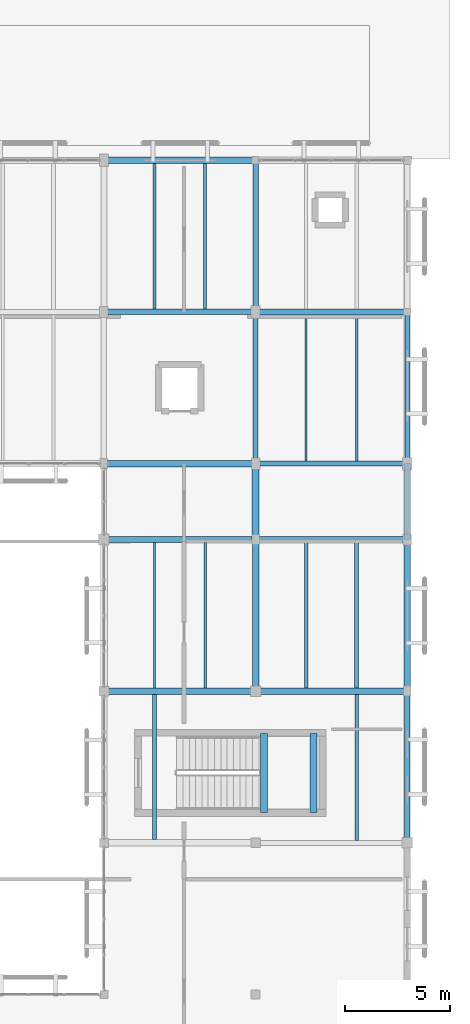
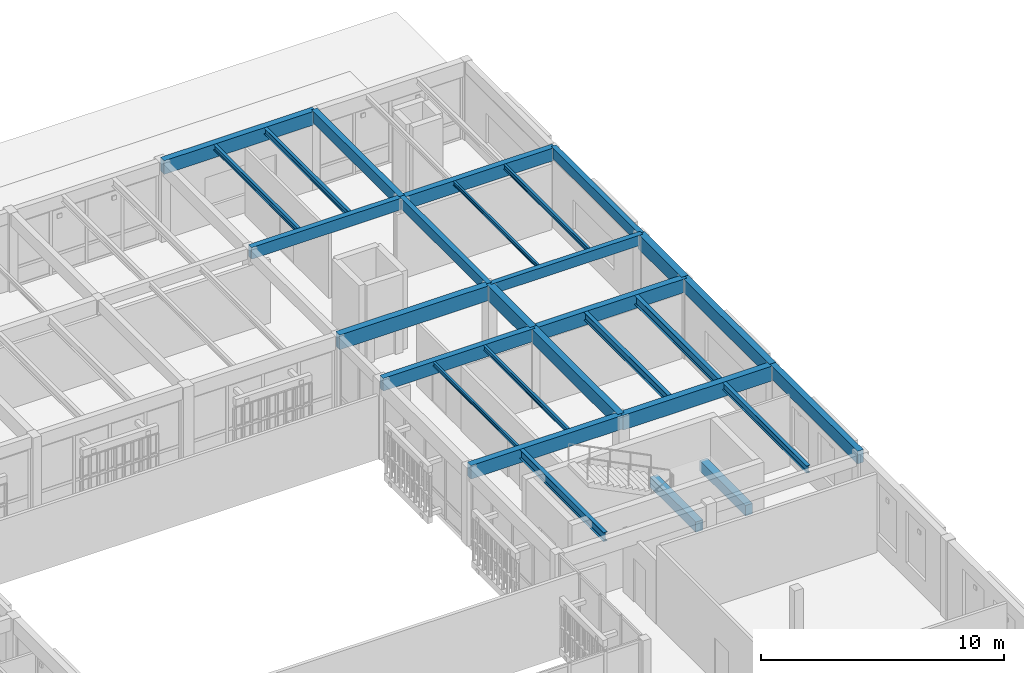
# One storey, part 68 of 112: 29 beams.
"""IFC4 building model written with IfcOpenShell, lengths in metres."""

from ifc_helpers import new_model, si_unit, direction, frame, origin, origin_2d, place, context, subcontext, project, spatial, rectangle, i_section, extrude, material, material_profile, profile_set, type_object, element, save


model = new_model("IFC4")

# Units and contexts
model_context = context("Model", 3, precision=1e-05, world=origin(), true_north=direction((0.0, 1.0)))
body_context = subcontext(model_context, "Body", "Model", "MODEL_VIEW")
ifc_project = project(units=[si_unit("LENGTHUNIT", "METRE"), si_unit("AREAUNIT", "SQUARE_METRE"), si_unit("VOLUMEUNIT", "CUBIC_METRE"), si_unit("PLANEANGLEUNIT", "RADIAN"), si_unit("MASSUNIT", "GRAM", prefix="KILO")], contexts=[model_context])

# Site, building, storey
site_placement = place(None, origin())
site = spatial("IfcSite", under=ifc_project, at=site_placement, CompositionType="ELEMENT")
building_placement = place(site_placement, origin())
building = spatial("IfcBuilding", under=site, at=building_placement, Name="Mazaris Harbour Polytechnic", CompositionType="ELEMENT")
storey_placement = place(building_placement, frame((0.0, 0.0, 13.800048828125)))
storey = spatial("IfcBuildingStorey", under=building, at=storey_placement, Name="L03", CompositionType="ELEMENT", Elevation=13.800048828125)

# Beams
ifc_material_1 = material(Name="Glulam GL32h", Category="wood")
ifc_material_profile_1 = material_profile(ifc_material_1, rectangle(XDim=0.239990234375, YDim=0.52001953125, at=origin_2d()), Name="RECT240x520")
ifc_profile_set_1 = profile_set([ifc_material_profile_1], Name="Glulam GL32h")
beam_type_1 = type_object("IfcBeamType", Name="Glulam Girder 240x520", PredefinedType="BEAM", material=ifc_profile_set_1)
beam_1_placement = place(storey_placement, frame((165.60009765625, 86.39990234375, 3.675048828125), z_axis=(1.0, 0.0, 0.0), x_axis=(0.0, 1.0, 0.0)))
element("IfcBeam", 1, at=beam_1_placement, inside=storey, type_object=beam_type_1, Name="V5 L03 Girder 3315", PredefinedType="BEAM", context=body_context, shape_type="SweptSolid", body=[
    extrude(rectangle(XDim=0.239990234375, YDim=0.52001953125, at=origin_2d()), origin(), (0.0, 0.0, 1.0), 7.199951171875),
])
beam_2_placement = place(storey_placement, frame((165.60009765625, 86.39990234375, 3.675048828125), z_axis=(0.0, 1.0, 0.0), x_axis=(-1.0, 0.0, 0.0)))
element("IfcBeam", 2, at=beam_2_placement, inside=storey, type_object=beam_type_1, Name="V5 L03 Tie Girder 3355", PredefinedType="BEAM", context=body_context, shape_type="SweptSolid", body=[
    extrude(rectangle(XDim=0.239990234375, YDim=0.52001953125, at=origin_2d()), origin(), (0.0, 0.0, 1.0), 7.2001953125),
])
ifc_material_2 = material(Name="Glulam GL32h", Category="wood")
ifc_material_profile_2 = material_profile(ifc_material_2, rectangle(XDim=0.239990234375, YDim=0.52001953125, at=origin_2d()), Name="RECT240x520")
ifc_profile_set_2 = profile_set([ifc_material_profile_2], Name="Glulam GL32h")
beam_type_2 = type_object("IfcBeamType", Name="Glulam Girder 240x520 Exterior", PredefinedType="BEAM", material=ifc_profile_set_2)
beam_3_placement = place(storey_placement, frame((172.800048828125, 86.39990234375, 3.675048828125), z_axis=(0.0, 1.0, 0.0), x_axis=(-1.0, 0.0, 0.0)))
element("IfcBeam", 3, at=beam_3_placement, inside=storey, type_object=beam_type_2, Name="V5 L03 Tie Girder 3360", PredefinedType="BEAM", context=body_context, shape_type="SweptSolid", body=[
    extrude(rectangle(XDim=0.239990234375, YDim=0.52001953125, at=origin_2d()), origin(), (0.0, 0.0, 1.0), 7.2001953125),
])
ifc_material_3 = material(Name="Glulam GL32h", Category="wood")
ifc_material_profile_3 = material_profile(ifc_material_3, rectangle(XDim=0.260009765625, YDim=0.580078125, at=origin_2d()), Name="RECT260x580")
ifc_profile_set_3 = profile_set([ifc_material_profile_3], Name="Glulam GL32h")
beam_type_3 = type_object("IfcBeamType", Name="Glulam Girder 260x580", PredefinedType="BEAM", material=ifc_profile_set_3)
beam_4_placement = place(storey_placement, frame((158.39990234375, 93.60009765625, 3.64501953125), z_axis=(1.0, 0.0, 0.0), x_axis=(0.0, 1.0, 0.0)))
element("IfcBeam", 4, at=beam_4_placement, inside=storey, type_object=beam_type_3, Name="V5 L03 Girder 3321", PredefinedType="BEAM", context=body_context, shape_type="SweptSolid", body=[
    extrude(rectangle(XDim=0.260009765625, YDim=0.580078125, at=origin_2d()), origin(), (0.0, 0.0, 1.0), 7.2001953125),
])
beam_5_placement = place(storey_placement, frame((165.60009765625, 93.60009765625, 3.64501953125), z_axis=(0.0, 1.0, 0.0), x_axis=(-1.0, 0.0, 0.0)))
element("IfcBeam", 5, at=beam_5_placement, inside=storey, type_object=beam_type_3, Name="V5 L03 Tie Girder 3356", PredefinedType="BEAM", context=body_context, shape_type="SweptSolid", body=[
    extrude(rectangle(XDim=0.260009765625, YDim=0.580078125, at=origin_2d()), origin(), (0.0, 0.0, 1.0), 7.199951171875),
])
ifc_material_4 = material(Name="Glulam GL32h", Category="wood")
ifc_material_profile_4 = material_profile(ifc_material_4, rectangle(XDim=0.280029296875, YDim=0.639892578125, at=origin_2d()), Name="RECT280x640")
ifc_profile_set_4 = profile_set([ifc_material_profile_4], Name="Glulam GL32h")
beam_type_4 = type_object("IfcBeamType", Name="Glulam Girder 280x640", PredefinedType="BEAM", material=ifc_profile_set_4)
beam_6_placement = place(storey_placement, frame((158.39990234375, 82.800048828125, 3.614990234375), z_axis=(1.0, 0.0, 0.0), x_axis=(0.0, 1.0, 0.0)))
element("IfcBeam", 6, at=beam_6_placement, inside=storey, type_object=beam_type_4, Name="V5 L03 Girder 3307", PredefinedType="BEAM", context=body_context, shape_type="SweptSolid", body=[
    extrude(rectangle(XDim=0.280029296875, YDim=0.639892578125, at=origin_2d()), origin(), (0.0, 0.0, 1.0), 7.2001953125),
])
beam_7_placement = place(storey_placement, frame((165.60009765625, 93.60009765625, 3.614990234375), z_axis=(1.0, 0.0, 0.0), x_axis=(0.0, 1.0, 0.0)))
element("IfcBeam", 7, at=beam_7_placement, inside=storey, type_object=beam_type_4, Name="V5 L03 Girder 3322", PredefinedType="BEAM", context=body_context, shape_type="SweptSolid", body=[
    extrude(rectangle(XDim=0.280029296875, YDim=0.639892578125, at=origin_2d()), origin(), (0.0, 0.0, 1.0), 7.199951171875),
])
ifc_material_5 = material(Name="Glulam GL32h", Category="wood")
ifc_material_profile_5 = material_profile(ifc_material_5, rectangle(XDim=0.280029296875, YDim=0.639892578125, at=origin_2d()), Name="RECT280x640")
ifc_profile_set_5 = profile_set([ifc_material_profile_5], Name="Glulam GL32h")
beam_type_5 = type_object("IfcBeamType", Name="Glulam Girder 280x640 Exterior", PredefinedType="BEAM", material=ifc_profile_set_5)
beam_8_placement = place(storey_placement, frame((172.800048828125, 68.39990234375, 3.614990234375), z_axis=(0.0, 1.0, 0.0), x_axis=(-1.0, 0.0, 0.0)))
element("IfcBeam", 8, at=beam_8_placement, inside=storey, type_object=beam_type_5, Name="V5 L03 Tie Girder 3357", PredefinedType="BEAM", context=body_context, shape_type="SweptSolid", body=[
    extrude(rectangle(XDim=0.280029296875, YDim=0.639892578125, at=origin_2d()), origin(), (0.0, 0.0, 1.0), 7.2001953125),
])
ifc_material_6 = material(Name="Glulam GL32h", Category="wood")
ifc_material_profile_6 = material_profile(ifc_material_6, rectangle(XDim=0.300048828125, YDim=0.679931640625, at=origin_2d()), Name="RECT300x680")
ifc_profile_set_6 = profile_set([ifc_material_profile_6], Name="Glulam GL32h")
beam_type_6 = type_object("IfcBeamType", Name="Glulam Girder 300x680", PredefinedType="BEAM", material=ifc_profile_set_6)
beam_9_placement = place(storey_placement, frame((158.39990234375, 75.60009765625, 3.594970703125), z_axis=(1.0, 0.0, 0.0), x_axis=(0.0, 1.0, 0.0)))
element("IfcBeam", 9, at=beam_9_placement, inside=storey, type_object=beam_type_6, Name="V5 L03 Girder 3303", PredefinedType="BEAM", context=body_context, shape_type="SweptSolid", body=[
    extrude(rectangle(XDim=0.300048828125, YDim=0.679931640625, at=origin_2d()), origin(), (0.0, 0.0, 1.0), 7.2001953125),
])
for number, where, z_axis, x_axis, name in (
    (10, (165.60009765625, 82.800048828125, 3.594970703125), (1.0, 0.0, 0.0), (0.0, 1.0, 0.0), "V5 L03 Girder 3308"),
    (11, (165.60009765625, 75.60009765625, 3.594970703125), (0.0, 1.0, 0.0), (-1.0, 0.0, 0.0), "V5 L03 Tie Girder 3353"),
):
    element("IfcBeam", number, at=place(storey_placement, frame(where, z_axis=z_axis, x_axis=x_axis)), inside=storey, type_object=beam_type_6, Name=name, PredefinedType="BEAM", context=body_context, shape_type="SweptSolid", body=[
        extrude(rectangle(XDim=0.300048828125, YDim=0.679931640625, at=origin_2d()), origin(), (0.0, 0.0, 1.0), 7.199951171875),
    ])
ifc_material_7 = material(Name="Glulam GL32h", Category="wood")
ifc_material_profile_7 = material_profile(ifc_material_7, rectangle(XDim=0.300048828125, YDim=0.679931640625, at=origin_2d()), Name="RECT300x680")
ifc_profile_set_7 = profile_set([ifc_material_profile_7], Name="Glulam GL32h")
beam_type_7 = type_object("IfcBeamType", Name="Glulam Girder 300x680 Exterior", PredefinedType="BEAM", material=ifc_profile_set_7)
beam_10_placement = place(storey_placement, frame((158.39990234375, 100.800048828125, 3.594970703125), z_axis=(1.0, 0.0, 0.0), x_axis=(0.0, 1.0, 0.0)))
element("IfcBeam", 12, at=beam_10_placement, inside=storey, type_object=beam_type_7, Name="V5 L03 Girder 3328", PredefinedType="BEAM", context=body_context, shape_type="SweptSolid", body=[
    extrude(rectangle(XDim=0.300048828125, YDim=0.679931640625, at=origin_2d()), origin(), (0.0, 0.0, 1.0), 7.2001953125),
])
beam_11_placement = place(storey_placement, frame((172.800048828125, 75.60009765625, 3.594970703125), z_axis=(0.0, 1.0, 0.0), x_axis=(-1.0, 0.0, 0.0)))
element("IfcBeam", 13, at=beam_11_placement, inside=storey, type_object=beam_type_7, Name="V5 L03 Tie Girder 3358", PredefinedType="BEAM", context=body_context, shape_type="SweptSolid", body=[
    extrude(rectangle(XDim=0.300048828125, YDim=0.679931640625, at=origin_2d()), origin(), (0.0, 0.0, 1.0), 7.199951171875),
])
ifc_material_8 = material(Name="Glulam GL32h", Category="wood")
ifc_material_profile_8 = material_profile(ifc_material_8, rectangle(XDim=0.320068359375, YDim=0.739990234375, at=origin_2d()), Name="RECT320x740")
ifc_profile_set_8 = profile_set([ifc_material_profile_8], Name="Glulam GL32h")
beam_type_8 = type_object("IfcBeamType", Name="Glulam Girder 320x740", PredefinedType="BEAM", material=ifc_profile_set_8)
beam_12_placement = place(storey_placement, frame((165.60009765625, 75.60009765625, 3.56494140625), z_axis=(1.0, 0.0, 0.0), x_axis=(0.0, 1.0, 0.0)))
element("IfcBeam", 14, at=beam_12_placement, inside=storey, type_object=beam_type_8, Name="V5 L03 Girder 3304", PredefinedType="BEAM", context=body_context, shape_type="SweptSolid", body=[
    extrude(rectangle(XDim=0.320068359375, YDim=0.739990234375, at=origin_2d()), origin(), (0.0, 0.0, 1.0), 7.199951171875),
])
beam_13_placement = place(storey_placement, frame((158.39990234375, 86.39990234375, 3.56494140625), z_axis=(1.0, 0.0, 0.0), x_axis=(0.0, 1.0, 0.0)))
element("IfcBeam", 15, at=beam_13_placement, inside=storey, type_object=beam_type_8, Name="V5 L03 Girder 3314", PredefinedType="BEAM", context=body_context, shape_type="SweptSolid", body=[
    extrude(rectangle(XDim=0.320068359375, YDim=0.739990234375, at=origin_2d()), origin(), (0.0, 0.0, 1.0), 7.2001953125),
])
beam_14_placement = place(storey_placement, frame((165.60009765625, 82.800048828125, 3.56494140625), z_axis=(0.0, 1.0, 0.0), x_axis=(-1.0, 0.0, 0.0)))
element("IfcBeam", 16, at=beam_14_placement, inside=storey, type_object=beam_type_8, Name="V5 L03 Tie Girder 3354", PredefinedType="BEAM", context=body_context, shape_type="SweptSolid", body=[
    extrude(rectangle(XDim=0.320068359375, YDim=0.739990234375, at=origin_2d()), origin(), (0.0, 0.0, 1.0), 3.599853515625),
])
ifc_material_9 = material(Name="Glulam GL32h", Category="wood")
ifc_material_profile_9 = material_profile(ifc_material_9, rectangle(XDim=0.320068359375, YDim=0.739990234375, at=origin_2d()), Name="RECT320x740")
ifc_profile_set_9 = profile_set([ifc_material_profile_9], Name="Glulam GL32h")
beam_type_9 = type_object("IfcBeamType", Name="Glulam Girder 320x740 Exterior", PredefinedType="BEAM", material=ifc_profile_set_9)
beam_15_placement = place(storey_placement, frame((172.800048828125, 82.800048828125, 3.56494140625), z_axis=(0.0, 1.0, 0.0), x_axis=(-1.0, 0.0, 0.0)))
element("IfcBeam", 17, at=beam_15_placement, inside=storey, type_object=beam_type_9, Name="V5 L03 Tie Girder 3359", PredefinedType="BEAM", context=body_context, shape_type="SweptSolid", body=[
    extrude(rectangle(XDim=0.320068359375, YDim=0.739990234375, at=origin_2d()), origin(), (0.0, 0.0, 1.0), 3.599853515625),
])
ifc_material_10 = material(Name="Concrete C40/50", Category="concrete")
ifc_material_profile_10 = material_profile(ifc_material_10, rectangle(XDim=0.35009765625, YDim=0.52001953125, at=origin_2d()), Name="RECT350x520")
ifc_profile_set_10 = profile_set([ifc_material_profile_10], Name="Concrete C40/50")
beam_type_10 = type_object("IfcBeamType", Name="RC Landing Bearer 350x520", PredefinedType="BEAM", material=ifc_profile_set_10)
for number, where, z_axis, x_axis, name in (
    (18, (166.0, 69.85009765625, 1.639892578125), (0.0, 1.0, 0.0), (-1.0, 0.0, 0.0), "Core ST10 L03 Landing Bearer"),
    (19, (168.35009765625, 69.85009765625, 1.639892578125), (0.0, 1.0, 0.0), (-1.0, 0.0, 0.0), "Core ST10 L03 Landing Bearer"),
):
    element("IfcBeam", number, at=place(storey_placement, frame(where, z_axis=z_axis, x_axis=x_axis)), inside=storey, type_object=beam_type_10, Name=name, PredefinedType="BEAM", context=body_context, shape_type="SweptSolid", body=[
        extrude(rectangle(XDim=0.35009765625, YDim=0.52001953125, at=origin_2d()), origin(), (0.0, 0.0, 1.0), 3.75),
    ])
ifc_material_11 = material(Name="Steel S355", Category="steel")
ifc_material_profile_11 = material_profile(ifc_material_11, i_section(OverallWidth=0.10009765625, OverallDepth=0.199951171875, WebThickness=0.005615234375, FlangeThickness=0.008544921875, FilletRadius=0.011962890625, at=origin_2d()), Name="IPE 200")
ifc_profile_set_11 = profile_set([ifc_material_profile_11], Name="Steel S355")
beam_type_11 = type_object("IfcBeamType", Name="Steel Joist IPE200", PredefinedType="JOIST", material=ifc_profile_set_11)
beam_16_placement = place(storey_placement, frame((160.800048828125, 75.75, 3.8349609375), z_axis=(0.0, 1.0, 0.0), x_axis=(-1.0, 0.0, 0.0)))
element("IfcBeam", 20, at=beam_16_placement, inside=storey, type_object=beam_type_11, Name="V5 L03 Floor Joist 3388", PredefinedType="JOIST", context=body_context, shape_type="SweptSolid", body=[
    extrude(i_section(OverallWidth=0.10009765625, OverallDepth=0.199951171875, WebThickness=0.005615234375, FlangeThickness=0.008544921875, FilletRadius=0.011962890625, at=origin_2d()), origin(), (0.0, 0.0, 1.0), 6.909912109375),
])
beam_17_placement = place(storey_placement, frame((168.0, 86.52001953125, 3.8349609375), z_axis=(0.0, 1.0, 0.0), x_axis=(-1.0, 0.0, 0.0)))
element("IfcBeam", 21, at=beam_17_placement, inside=storey, type_object=beam_type_11, Name="V5 L03 Floor Joist 3395", PredefinedType="JOIST", context=body_context, shape_type="SweptSolid", body=[
    extrude(i_section(OverallWidth=0.10009765625, OverallDepth=0.199951171875, WebThickness=0.005615234375, FlangeThickness=0.008544921875, FilletRadius=0.011962890625, at=origin_2d()), origin(), (0.0, 0.0, 1.0), 6.93994140625),
])
ifc_material_12 = material(Name="Steel S355", Category="steel")
ifc_material_profile_12 = material_profile(ifc_material_12, i_section(OverallWidth=0.1201171875, OverallDepth=0.239990234375, WebThickness=0.006103515625, FlangeThickness=0.009765625, FilletRadius=0.014892578125, at=origin_2d()), Name="IPE 240")
ifc_profile_set_12 = profile_set([ifc_material_profile_12], Name="Steel S355")
beam_type_12 = type_object("IfcBeamType", Name="Steel Joist IPE240", PredefinedType="JOIST", material=ifc_profile_set_12)
beam_18_placement = place(storey_placement, frame((163.199951171875, 75.75, 3.81494140625), z_axis=(0.0, 1.0, 0.0), x_axis=(-1.0, 0.0, 0.0)))
element("IfcBeam", 22, at=beam_18_placement, inside=storey, type_object=beam_type_12, Name="V5 L03 Floor Joist 3389", PredefinedType="JOIST", context=body_context, shape_type="SweptSolid", body=[
    extrude(i_section(OverallWidth=0.1201171875, OverallDepth=0.239990234375, WebThickness=0.006103515625, FlangeThickness=0.009765625, FilletRadius=0.014892578125, at=origin_2d()), origin(), (0.0, 0.0, 1.0), 6.909912109375),
])
beam_19_placement = place(storey_placement, frame((170.39990234375, 86.52001953125, 3.81494140625), z_axis=(0.0, 1.0, 0.0), x_axis=(-1.0, 0.0, 0.0)))
element("IfcBeam", 23, at=beam_19_placement, inside=storey, type_object=beam_type_12, Name="V5 L03 Floor Joist 3396", PredefinedType="JOIST", context=body_context, shape_type="SweptSolid", body=[
    extrude(i_section(OverallWidth=0.1201171875, OverallDepth=0.239990234375, WebThickness=0.006103515625, FlangeThickness=0.009765625, FilletRadius=0.014892578125, at=origin_2d()), origin(), (0.0, 0.0, 1.0), 6.93994140625),
])
ifc_material_13 = material(Name="Steel S355", Category="steel")
ifc_material_profile_13 = material_profile(ifc_material_13, i_section(OverallWidth=0.135009765625, OverallDepth=0.27001953125, WebThickness=0.006591796875, FlangeThickness=0.01025390625, FilletRadius=0.014892578125, at=origin_2d()), Name="IPE 270")
ifc_profile_set_13 = profile_set([ifc_material_profile_13], Name="Steel S355")
beam_type_13 = type_object("IfcBeamType", Name="Steel Joist IPE270", PredefinedType="JOIST", material=ifc_profile_set_13)
beam_20_placement = place(storey_placement, frame((160.800048828125, 93.72998046875, 3.800048828125), z_axis=(0.0, 1.0, 0.0), x_axis=(-1.0, 0.0, 0.0)))
element("IfcBeam", 24, at=beam_20_placement, inside=storey, type_object=beam_type_13, Name="V5 L03 Floor Joist 3390", PredefinedType="JOIST", context=body_context, shape_type="SweptSolid", body=[
    extrude(i_section(OverallWidth=0.135009765625, OverallDepth=0.27001953125, WebThickness=0.006591796875, FlangeThickness=0.01025390625, FilletRadius=0.014892578125, at=origin_2d()), origin(), (0.0, 0.0, 1.0), 6.919921875),
])
ifc_material_14 = material(Name="Steel S355", Category="steel")
ifc_material_profile_14 = material_profile(ifc_material_14, i_section(OverallWidth=0.14990234375, OverallDepth=0.300048828125, WebThickness=0.007080078125, FlangeThickness=0.0107421875, FilletRadius=0.014892578125, at=origin_2d()), Name="IPE 300")
ifc_profile_set_14 = profile_set([ifc_material_profile_14], Name="Steel S355")
beam_type_14 = type_object("IfcBeamType", Name="Steel Joist IPE300", PredefinedType="JOIST", material=ifc_profile_set_14)
beam_21_placement = place(storey_placement, frame((163.199951171875, 93.72998046875, 3.784912109375), z_axis=(0.0, 1.0, 0.0), x_axis=(-1.0, 0.0, 0.0)))
element("IfcBeam", 25, at=beam_21_placement, inside=storey, type_object=beam_type_14, Name="V5 L03 Floor Joist 3391", PredefinedType="JOIST", context=body_context, shape_type="SweptSolid", body=[
    extrude(i_section(OverallWidth=0.14990234375, OverallDepth=0.300048828125, WebThickness=0.007080078125, FlangeThickness=0.0107421875, FilletRadius=0.014892578125, at=origin_2d()), origin(), (0.0, 0.0, 1.0), 6.919921875),
])
ifc_material_15 = material(Name="Steel S355", Category="steel")
ifc_material_profile_15 = material_profile(ifc_material_15, i_section(OverallWidth=0.169921875, OverallDepth=0.360107421875, WebThickness=0.008056640625, FlangeThickness=0.0126953125, FilletRadius=0.01806640625, at=origin_2d()), Name="IPE 360")
ifc_profile_set_15 = profile_set([ifc_material_profile_15], Name="Steel S355")
beam_type_15 = type_object("IfcBeamType", Name="Steel Joist IPE360", PredefinedType="JOIST", material=ifc_profile_set_15)
beam_22_placement = place(storey_placement, frame((170.39990234375, 68.52001953125, 3.7548828125), z_axis=(0.0, 1.0, 0.0), x_axis=(-1.0, 0.0, 0.0)))
element("IfcBeam", 26, at=beam_22_placement, inside=storey, type_object=beam_type_15, Name="V5 L03 Floor Joist 3392", PredefinedType="JOIST", context=body_context, shape_type="SweptSolid", body=[
    extrude(i_section(OverallWidth=0.169921875, OverallDepth=0.360107421875, WebThickness=0.008056640625, FlangeThickness=0.0126953125, FilletRadius=0.01806640625, at=origin_2d()), origin(), (0.0, 0.0, 1.0), 6.919921875),
])
ifc_material_16 = material(Name="Steel S355", Category="steel")
ifc_material_profile_16 = material_profile(ifc_material_16, i_section(OverallWidth=0.179931640625, OverallDepth=0.39990234375, WebThickness=0.008544921875, FlangeThickness=0.013427734375, FilletRadius=0.02099609375, at=origin_2d()), Name="IPE 400")
ifc_profile_set_16 = profile_set([ifc_material_profile_16], Name="Steel S355")
beam_type_16 = type_object("IfcBeamType", Name="Steel Joist IPE400", PredefinedType="JOIST", material=ifc_profile_set_16)
beam_23_placement = place(storey_placement, frame((168.0, 75.760009765625, 3.73486328125), z_axis=(0.0, 1.0, 0.0), x_axis=(-1.0, 0.0, 0.0)))
element("IfcBeam", 27, at=beam_23_placement, inside=storey, type_object=beam_type_16, Name="V5 L03 Floor Joist 3393", PredefinedType="JOIST", context=body_context, shape_type="SweptSolid", body=[
    extrude(i_section(OverallWidth=0.179931640625, OverallDepth=0.39990234375, WebThickness=0.008544921875, FlangeThickness=0.013427734375, FilletRadius=0.02099609375, at=origin_2d()), origin(), (0.0, 0.0, 1.0), 6.889892578125),
])
ifc_material_17 = material(Name="Steel S355", Category="steel")
ifc_material_profile_17 = material_profile(ifc_material_17, i_section(OverallWidth=0.18994140625, OverallDepth=0.449951171875, WebThickness=0.009521484375, FlangeThickness=0.0146484375, FilletRadius=0.02099609375, at=origin_2d()), Name="IPE 450")
ifc_profile_set_17 = profile_set([ifc_material_profile_17], Name="Steel S355")
beam_type_17 = type_object("IfcBeamType", Name="Steel Joist IPE450", PredefinedType="JOIST", material=ifc_profile_set_17)
for number, where, z_axis, x_axis, name in (
    (28, (160.800048828125, 68.56005859375, 3.7099609375), (0.0, 1.0, 0.0), (-1.0, 0.0, 0.0), "V5 L03 Floor Joist 3387"),
    (29, (170.39990234375, 75.760009765625, 3.7099609375), (0.0, 1.0, 0.0), (-1.0, 0.0, 0.0), "V5 L03 Floor Joist 3394"),
):
    element("IfcBeam", number, at=place(storey_placement, frame(where, z_axis=z_axis, x_axis=x_axis)), inside=storey, type_object=beam_type_17, Name=name, PredefinedType="JOIST", context=body_context, shape_type="SweptSolid", body=[
        extrude(i_section(OverallWidth=0.18994140625, OverallDepth=0.449951171875, WebThickness=0.009521484375, FlangeThickness=0.0146484375, FilletRadius=0.02099609375, at=origin_2d()), origin(), (0.0, 0.0, 1.0), 6.889892578125),
    ])

save(model, "model.ifc")
